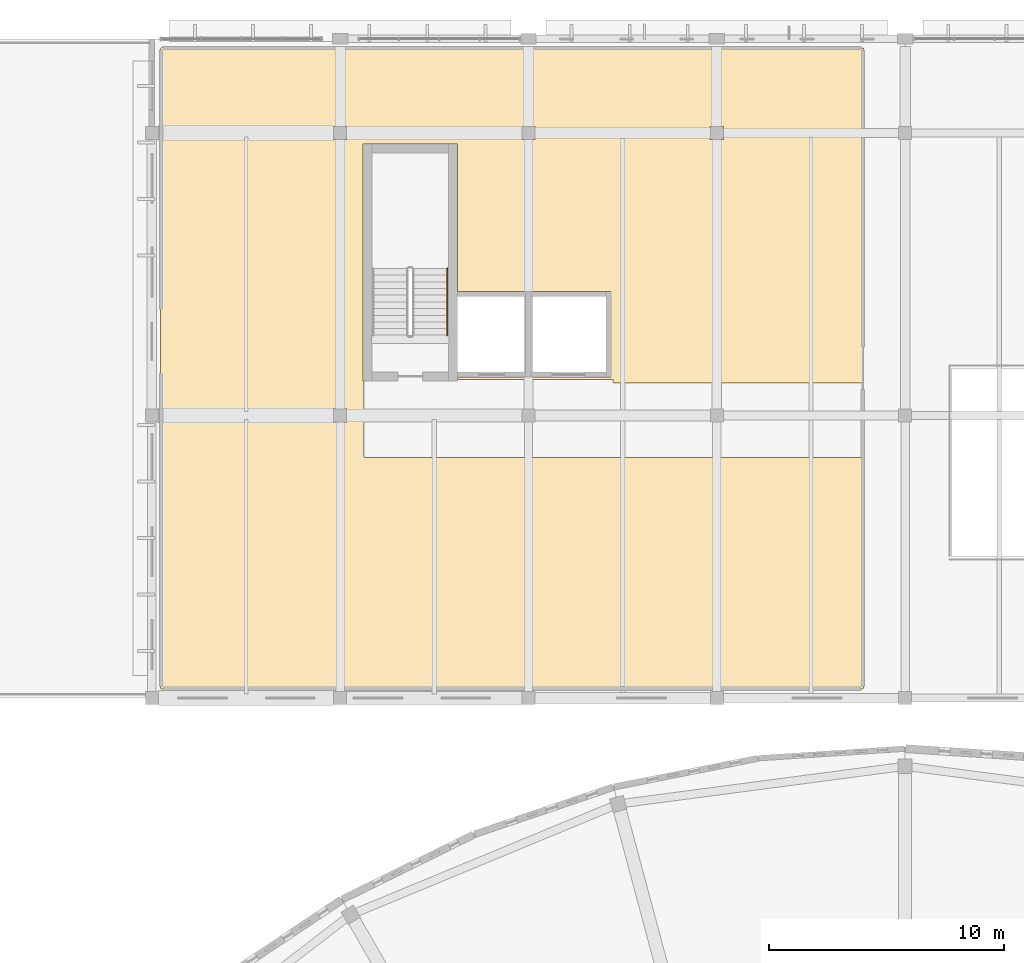
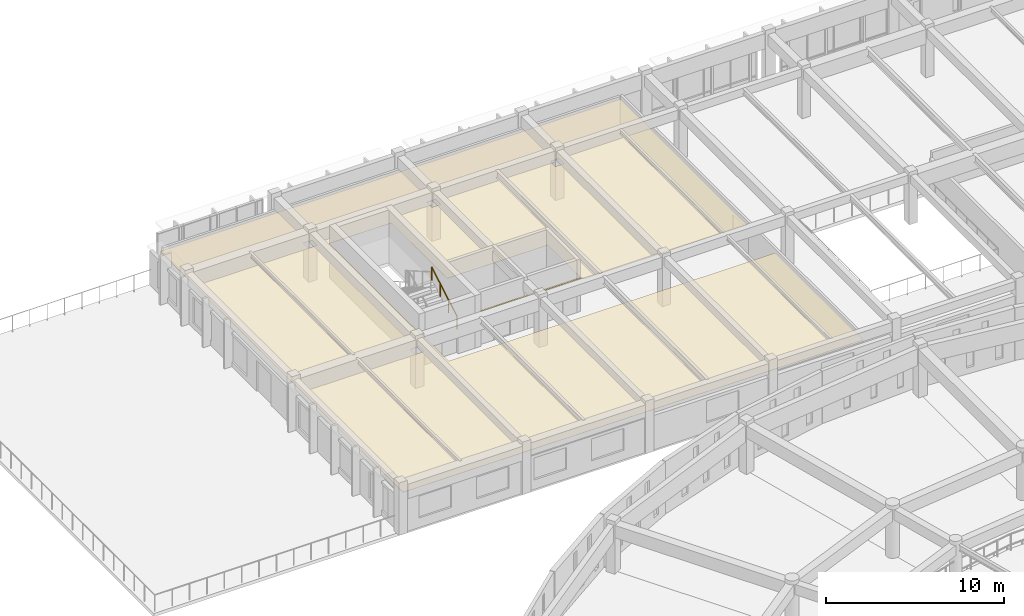
# One storey, part 138 of 155: 1 covering, 1 railing.
"""IFC4 building model written with IfcOpenShell, lengths in metres."""

from ifc_helpers import new_model, si_unit, direction, frame, origin, origin_2d, place, context, subcontext, project, spatial, polyline, circle, outline, extrude, material, layer, layer_set, type_object, element, save


model = new_model("IFC4")

# Units and contexts
model_context = context("Model", 3, precision=1e-05, world=origin(), true_north=direction((0.0, 1.0)))
body_context = subcontext(model_context, "Body", "Model", "MODEL_VIEW")
ifc_project = project(units=[si_unit("LENGTHUNIT", "METRE"), si_unit("AREAUNIT", "SQUARE_METRE"), si_unit("VOLUMEUNIT", "CUBIC_METRE"), si_unit("PLANEANGLEUNIT", "RADIAN"), si_unit("MASSUNIT", "GRAM", prefix="KILO")], contexts=[model_context])

# Site, building, storey
site_placement = place(None, origin())
site = spatial("IfcSite", under=ifc_project, at=site_placement, CompositionType="ELEMENT")
building_placement = place(site_placement, origin())
building = spatial("IfcBuilding", under=site, at=building_placement, Name="Larkveld Mobility Hub", CompositionType="ELEMENT")
storey_placement = place(building_placement, frame((0.0, 0.0, 8.39990234375)))
storey = spatial("IfcBuildingStorey", under=building, at=storey_placement, Name="L02", CompositionType="ELEMENT", Elevation=8.39990234375)

# Covering
ifc_material_1 = material(Name="Perforated mineral-fibre acoustic ceiling", Category="masonry")
ifc_layer = layer(ifc_material_1, 0.02001953125, Name="Perforated mineral-fibre acoustic ceiling", Category="masonry")
ifc_layer_set = layer_set([ifc_layer], Name="Perforated mineral-fibre acoustic ceiling")
covering_type = type_object("IfcCoveringType", Name="CV-CLG-020", PredefinedType="CEILING", material=ifc_layer_set)
covering_placement = place(storey_placement, frame((0.0, 0.0, 2.330078125)))
element("IfcCovering", 1, at=covering_placement, inside=storey, type_object=covering_type, Name="Safe Cycling Training Studio and Clubroom Acoustic Ceiling 030", PredefinedType="CEILING", context=body_context, shape_type="SweptSolid", body=[
    extrude(outline(polyline([(24.97900390625, 111.468017578125), (24.98193359375, 111.468017578125), (24.98388671875, 111.468017578125), (24.987060546875, 111.467041015625), (24.989990234375, 111.466064453125), (24.991943359375, 111.465087890625), (24.9951171875, 111.462890625), (24.9970703125, 111.4609375), (24.9990234375, 111.4599609375), (25.0009765625, 111.45703125), (25.0029296875, 111.455078125), (25.014892578125, 111.43701171875), (25.01611328125, 111.43408203125), (25.01806640625, 111.430908203125), (25.01904296875, 111.428955078125), (25.01904296875, 111.426025390625), (25.02001953125, 111.423095703125), (25.02001953125, 111.419921875), (25.02001953125, 108.23193359375), (25.031005859375, 108.219970703125), (46.19091796875, 108.217041015625), (46.194091796875, 108.217041015625), (46.197021484375, 108.216064453125), (46.199951171875, 108.215087890625), (46.202880859375, 108.214111328125), (46.205078125, 108.212890625), (46.2080078125, 108.2119140625), (46.2099609375, 108.2099609375), (46.2119140625, 108.2080078125), (46.214111328125, 108.2060546875), (46.216064453125, 108.202880859375), (46.218017578125, 108.200927734375), (46.218994140625, 108.197998046875), (46.219970703125, 108.195068359375), (46.220947265625, 108.193115234375), (46.220947265625, 108.18994140625), (46.220947265625, 108.18701171875), (46.220947265625, 98.403076171875), (46.220947265625, 98.39990234375), (46.220947265625, 98.39794921875), (46.219970703125, 98.39501953125), (46.218994140625, 98.39208984375), (46.218017578125, 98.388916015625), (46.216064453125, 98.386962890625), (46.214111328125, 98.384033203125), (46.2119140625, 98.382080078125), (46.2099609375, 98.3798828125), (46.2080078125, 98.3779296875), (46.205078125, 98.376953125), (46.202880859375, 98.3759765625), (46.199951171875, 98.375), (46.197021484375, 98.3740234375), (46.194091796875, 98.3740234375), (46.19091796875, 98.373046875), (16.406005859375, 98.3759765625), (16.403076171875, 98.3759765625), (16.39990234375, 98.3759765625), (16.39697265625, 98.376953125), (16.39404296875, 98.3779296875), (16.39208984375, 98.37890625), (16.388916015625, 98.381103515625), (16.386962890625, 98.383056640625), (16.385009765625, 98.385009765625), (16.383056640625, 98.386962890625), (16.381103515625, 98.388916015625), (16.37890625, 98.39208984375), (16.3779296875, 98.39404296875), (16.376953125, 98.39697265625), (16.3759765625, 98.39990234375), (16.3759765625, 98.403076171875), (16.3759765625, 98.406005859375), (16.3701171875, 125.580078125), (16.3701171875, 125.5830078125), (16.37109375, 125.5859375), (16.37109375, 125.589111328125), (16.3720703125, 125.591064453125), (16.3740234375, 125.593994140625), (16.375, 125.596923828125), (16.376953125, 125.59912109375), (16.37890625, 125.60107421875), (16.39892578125, 125.62109375), (16.40087890625, 125.623046875), (16.403076171875, 125.625), (16.406005859375, 125.6259765625), (16.408935546875, 125.6279296875), (16.410888671875, 125.62890625), (16.4140625, 125.62890625), (16.4169921875, 125.6298828125), (16.419921875, 125.6298828125), (46.197021484375, 125.62109375), (46.199951171875, 125.62109375), (46.201904296875, 125.62109375), (46.205078125, 125.6201171875), (46.2080078125, 125.618896484375), (46.2109375, 125.617919921875), (46.212890625, 125.615966796875), (46.216064453125, 125.614013671875), (46.218017578125, 125.612060546875), (46.219970703125, 125.610107421875), (46.221923828125, 125.60791015625), (46.222900390625, 125.60498046875), (46.22412109375, 125.60302734375), (46.22509765625, 125.60009765625), (46.22607421875, 125.596923828125), (46.22607421875, 125.593994140625), (46.22705078125, 125.591064453125), (46.220947265625, 111.4130859375), (46.220947265625, 111.409912109375), (46.220947265625, 111.407958984375), (46.219970703125, 111.405029296875), (46.218994140625, 111.402099609375), (46.218017578125, 111.39892578125), (46.216064453125, 111.39697265625), (46.214111328125, 111.39404296875), (46.2119140625, 111.39208984375), (46.2099609375, 111.389892578125), (46.2080078125, 111.387939453125), (46.205078125, 111.386962890625), (46.202880859375, 111.385986328125), (46.199951171875, 111.385009765625), (46.197021484375, 111.384033203125), (46.194091796875, 111.384033203125), (46.19091796875, 111.383056640625), (35.6298828125, 111.3798828125), (35.626953125, 111.3798828125), (35.625, 111.381103515625), (35.6220703125, 111.381103515625), (35.618896484375, 111.382080078125), (35.615966796875, 111.384033203125), (35.614013671875, 111.385009765625), (35.611083984375, 111.386962890625), (35.592041015625, 111.403076171875), (35.590087890625, 111.405029296875), (35.587890625, 111.406982421875), (35.5859375, 111.408935546875), (35.583984375, 111.412109375), (35.5830078125, 111.4140625), (35.58203125, 111.4169921875), (35.5810546875, 111.419921875), (35.5810546875, 111.423095703125), (35.5810546875, 111.426025390625), (35.5791015625, 111.52099609375), (35.569091796875, 111.530029296875), (29.02099609375, 111.531982421875), (29.01806640625, 111.532958984375), (29.014892578125, 111.532958984375), (29.011962890625, 111.533935546875), (29.009033203125, 111.534912109375), (29.007080078125, 111.535888671875), (29.00390625, 111.537109375), (29.001953125, 111.5390625), (29.0, 111.541015625), (28.998046875, 111.54296875), (28.99609375, 111.544921875), (28.993896484375, 111.548095703125), (28.992919921875, 111.550048828125), (28.991943359375, 111.552978515625), (28.98193359375, 111.5849609375), (28.98095703125, 111.587890625), (28.98095703125, 111.591064453125), (28.97998046875, 111.593017578125), (28.97998046875, 111.595947265625), (28.98095703125, 111.59912109375), (28.98193359375, 111.60205078125), (28.98291015625, 111.60498046875), (28.98388671875, 111.60791015625), (28.985107421875, 111.610107421875), (28.987060546875, 111.613037109375), (28.989013671875, 111.614990234375), (28.990966796875, 111.616943359375), (29.010986328125, 111.633056640625), (29.012939453125, 111.635009765625), (29.01611328125, 111.635986328125), (29.01904296875, 111.637939453125), (29.02099609375, 111.638916015625), (29.02392578125, 111.638916015625), (29.027099609375, 111.639892578125), (29.030029296875, 111.639892578125), (35.510009765625, 111.639892578125), (35.510009765625, 115.260009765625), (29.01611328125, 115.26611328125), (29.012939453125, 115.26611328125), (29.010009765625, 115.26611328125), (29.007080078125, 115.26708984375), (29.00390625, 115.26806640625), (29.001953125, 115.26904296875), (28.9990234375, 115.27099609375), (28.9970703125, 115.27294921875), (28.9951171875, 115.27490234375), (28.992919921875, 115.277099609375), (28.990966796875, 115.279052734375), (28.989013671875, 115.281982421875), (28.988037109375, 115.283935546875), (28.987060546875, 115.287109375), (28.986083984375, 115.2900390625), (28.986083984375, 115.29296875), (28.986083984375, 115.2958984375), (28.97998046875, 121.530029296875), (24.969970703125, 121.530029296875), (24.969970703125, 111.468994140625), (24.97900390625, 111.468017578125)]), holes=[polyline([(23.719970703125, 110.280029296875), (23.719970703125, 109.719970703125), (24.280029296875, 109.719970703125), (24.280029296875, 110.280029296875), (23.719970703125, 110.280029296875)]), polyline([(23.719970703125, 122.280029296875), (23.719970703125, 121.719970703125), (24.280029296875, 121.719970703125), (24.280029296875, 122.280029296875), (23.719970703125, 122.280029296875)]), polyline([(31.719970703125, 122.280029296875), (31.719970703125, 121.719970703125), (32.280029296875, 121.719970703125), (32.280029296875, 122.280029296875), (31.719970703125, 122.280029296875)]), polyline([(39.719970703125, 122.280029296875), (39.719970703125, 121.719970703125), (40.280029296875, 121.719970703125), (40.280029296875, 122.280029296875), (39.719970703125, 122.280029296875)])]), origin(), (0.0, 0.0, 1.0), 0.02001953125),
])

# Railing
ifc_material_2 = material(Name="Brushed Steel S355JR tubular handrail", Category="steel")
railing_type = type_object("IfcRailingType", Name="RL-HND-0900", PredefinedType="HANDRAIL", material=ifc_material_2)
railing_placement = place(storey_placement, frame((28.550048828125, 113.39990234375, 0.163818359375)))
element("IfcRailing", 2, at=railing_placement, inside=storey, type_object=railing_type, Name="L02 ST6 stair handrail 1", PredefinedType="HANDRAIL", context=body_context, shape_type="SweptSolid", body=[
    extrude(circle(Radius=0.02392578125, at=origin_2d()), frame((0.0, 0.0, 0.8759765625), z_axis=(0.0, 0.867244780686, 0.497882004468), x_axis=(-1.0, 0.0, 0.0)), (0.0, 0.0, 1.0), 3.286376953125),
    extrude(circle(Radius=0.02099609375, at=origin_2d()), origin(), (0.0, 0.0, 1.0), 0.851806640625),
    extrude(circle(Radius=0.02099609375, at=origin_2d()), frame((0.0, 0.949951171875, 0.54541015625)), (0.0, 0.0, 1.0), 0.851806640625),
    extrude(circle(Radius=0.02099609375, at=origin_2d()), frame((0.0, 1.900146484375, 1.0908203125)), (0.0, 0.0, 1.0), 0.851806640625),
    extrude(circle(Radius=0.02099609375, at=origin_2d()), frame((0.0, 2.85009765625, 1.63623046875)), (0.0, 0.0, 1.0), 0.851806640625),
])

save(model, "model.ifc")
